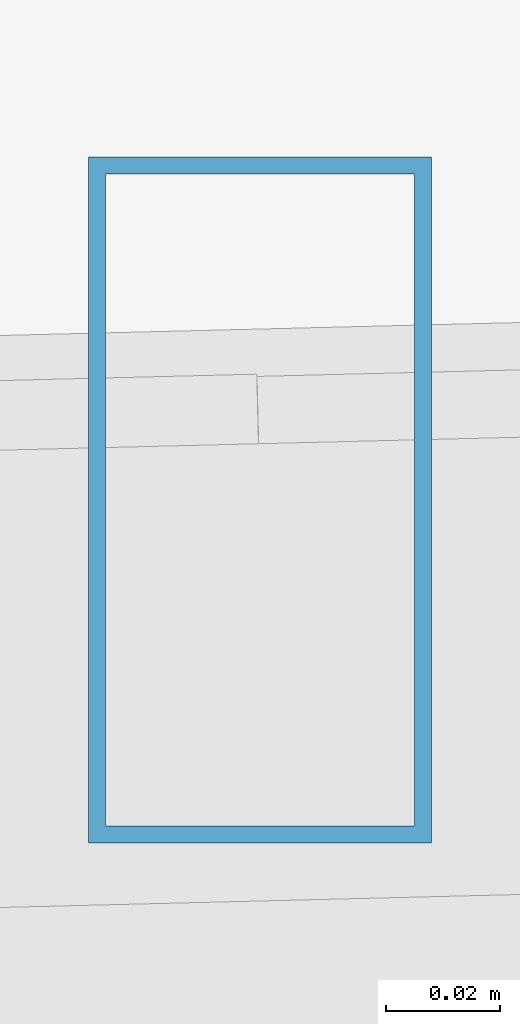
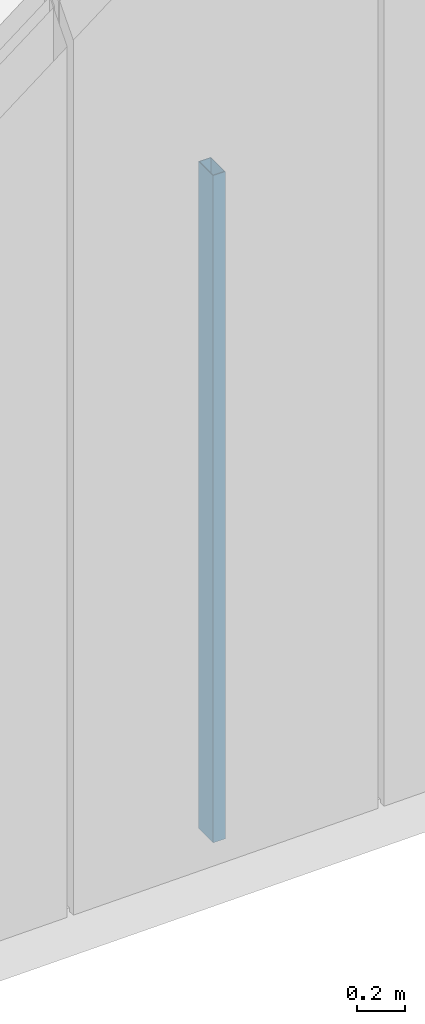
# One storey, part 20 of 50: 1 member, 1 element without a shape of its own.
"""IFC4 building model written with IfcOpenShell, lengths in metres."""

import ifcopenshell
import ifcopenshell.guid

model = None  # the IFC model being written
_history = None  # IfcOwnerHistory: only IFC2X3 demands one
_inside = {}  # id of a spatial element -> (the spatial element, [elements in it])
_under = {}  # id of a project, library or spatial element -> (it, [spatial elements below it])
_declared = {}  # id of a project -> (the project, [libraries it declares])
_typed = {}  # id of a type object -> (the type object, [elements of that type])
_made_of = {}  # id of a material, layer set ... -> (it, [elements and type objects made of it])


def new_model(schema):
    """Start an empty IFC model of exactly this schema.

    Asked for "IFC4X3", IfcOpenShell would pick the latest addendum, in which some entities
    have other attributes; the version numbers below select the first issue.
    IFC2X3 requires an IfcOwnerHistory on every rooted entity: one is made here for all.
    """
    global model, _history
    if schema == "IFC4X3":
        model = ifcopenshell.file(schema_version=(4, 3, 0, 0))
    else:
        model = ifcopenshell.file(schema=schema)
    _inside.clear()
    _under.clear()
    _declared.clear()
    _typed.clear()
    _made_of.clear()
    _history = None
    if model.schema == "IFC2X3":
        org = make("IfcOrganization", Name="unknown")
        user = make(
            "IfcPersonAndOrganization",
            ThePerson=make("IfcPerson", FamilyName="unknown"),
            TheOrganization=org,
        )
        app = make(
            "IfcApplication",
            ApplicationDeveloper=org,
            Version="unknown",
            ApplicationFullName="unknown",
            ApplicationIdentifier="unknown",
        )
        _history = make(
            "IfcOwnerHistory",
            OwningUser=user,
            OwningApplication=app,
            ChangeAction="ADDED",
            CreationDate=0,
        )
    return model


def make(cls, **values):
    """One entity of the class cls with the attributes given. An attribute that is None is left unset."""
    return model.create_entity(
        cls, **{name: value for name, value in values.items() if value is not None}
    )


def rooted(cls, **values):
    """An entity with a GlobalId (a new one), such as an element, a storey or a relation."""
    return make(cls, GlobalId=ifcopenshell.guid.new(), OwnerHistory=_history, **values)


def si_unit(unit_type, name, prefix=None):
    """IfcSIUnit, for example si_unit("LENGTHUNIT", "METRE", prefix="MILLI")."""
    return make("IfcSIUnit", UnitType=unit_type, Prefix=prefix, Name=name)


def assignment(units):
    """IfcUnitAssignment: the units of a project."""
    return None if units is None else make("IfcUnitAssignment", Units=units)


def point(xyz):
    """IfcCartesianPoint."""
    return None if xyz is None else make("IfcCartesianPoint", Coordinates=xyz)


def direction(xyz):
    """IfcDirection."""
    return None if xyz is None else make("IfcDirection", DirectionRatios=xyz)


def frame(location, z_axis=None, x_axis=None):
    """IfcAxis2Placement3D, a coordinate frame: its origin and axes. An axis left out is left unset."""
    return make(
        "IfcAxis2Placement3D",
        Location=point(location),
        Axis=direction(z_axis),
        RefDirection=direction(x_axis),
    )


def frame_2d(location, x_axis=None):
    """IfcAxis2Placement2D, a coordinate frame in the plane: its origin and x axis."""
    return make(
        "IfcAxis2Placement2D", Location=point(location), RefDirection=direction(x_axis)
    )


def origin():
    """The frame at (0, 0, 0) with its axes left unset."""
    return frame((0.0, 0.0, 0.0))


def origin_2d():
    """The frame at (0, 0) in the plane with its x axis left unset."""
    return frame_2d((0.0, 0.0))


def place(relative_to, where):
    """IfcLocalPlacement: puts the frame where relative to a parent placement (None: the world)."""
    return make(
        "IfcLocalPlacement", PlacementRelTo=relative_to, RelativePlacement=where
    )


def context(
    kind, dimensions, precision=None, world=None, true_north=None, identifier=None
):
    """IfcGeometricRepresentationContext, for example the 3D "Model" context."""
    return make(
        "IfcGeometricRepresentationContext",
        ContextIdentifier=identifier,
        ContextType=kind,
        CoordinateSpaceDimension=dimensions,
        Precision=precision,
        WorldCoordinateSystem=world,
        TrueNorth=true_north,
    )


def subcontext(parent, identifier, kind, view, scale=None):
    """IfcGeometricRepresentationSubContext, for example "Body" below "Model"."""
    return make(
        "IfcGeometricRepresentationSubContext",
        ContextIdentifier=identifier,
        ContextType=kind,
        ParentContext=parent,
        TargetScale=scale,
        TargetView=view,
    )


def project(units=None, contexts=None):
    """IfcProject with its units and contexts."""
    return rooted(
        "IfcProject",
        Name="project",
        RepresentationContexts=contexts,
        UnitsInContext=assignment(units),
    )


def spatial(cls, under=None, at=None, **own):
    """A site, building, storey or space (cls), placed at a placement, below another one or the project."""
    s = rooted(cls, ObjectPlacement=at, **own)
    if under is not None:
        _under.setdefault(under.id(), (under, []))[1].append(s)
    return s


def profile(cls, at=None, kind="AREA", **sizes):
    """A parametric profile (cls). Its sizes go by their IFC names, for example OverallWidth=200.0."""
    return make(cls, ProfileType=kind, Position=at, **sizes)


def hollow_rectangle(**sizes):
    """IfcRectangleHollowProfileDef."""
    return profile("IfcRectangleHollowProfileDef", **sizes)


def extrude(swept, where, along, depth):
    """IfcExtrudedAreaSolid: the profile swept, set in the frame where, extruded along a direction by depth."""
    return make(
        "IfcExtrudedAreaSolid",
        SweptArea=swept,
        Position=where,
        ExtrudedDirection=direction(along),
        Depth=depth,
    )


def shape(context_of_items, identifier, shape_type, items):
    """IfcShapeRepresentation: the items that make up one representation, for example the "Body"."""
    return make(
        "IfcShapeRepresentation",
        ContextOfItems=context_of_items,
        RepresentationIdentifier=identifier,
        RepresentationType=shape_type,
        Items=items,
    )


def source(mapping_origin, context_of_items, identifier, shape_type, items):
    """IfcRepresentationMap: a shape defined once, which mapped items show again and again."""
    return make(
        "IfcRepresentationMap",
        MappingOrigin=mapping_origin,
        MappedRepresentation=shape(context_of_items, identifier, shape_type, items),
    )


def transform(
    local_origin,
    x_axis=None,
    y_axis=None,
    z_axis=None,
    scale=None,
    scale2=None,
    scale3=None,
    uniform=True,
):
    """IfcCartesianTransformationOperator3D, or its non-uniform kind. x_axis, y_axis, z_axis: its Axis1, 2, 3."""
    if uniform:
        return make(
            "IfcCartesianTransformationOperator3D",
            Axis1=direction(x_axis),
            Axis2=direction(y_axis),
            LocalOrigin=point(local_origin),
            Scale=scale,
            Axis3=direction(z_axis),
        )
    return make(
        "IfcCartesianTransformationOperator3DnonUniform",
        Axis1=direction(x_axis),
        Axis2=direction(y_axis),
        LocalOrigin=point(local_origin),
        Scale=scale,
        Axis3=direction(z_axis),
        Scale2=scale2,
        Scale3=scale3,
    )


def mapped(mapping_source, mapping_target):
    """IfcMappedItem: shows the shape of a source again, moved by a transform."""
    return make(
        "IfcMappedItem", MappingSource=mapping_source, MappingTarget=mapping_target
    )


def material(Name=None, Category=None):
    """IfcMaterial."""
    return make("IfcMaterial", Name=Name, Category=Category)


def material_profile(
    of_material, cross_section, Name=None, Category=None, Priority=None
):
    """IfcMaterialProfile: a cross section and its material."""
    return make(
        "IfcMaterialProfile",
        Name=Name,
        Material=of_material,
        Profile=cross_section,
        Priority=Priority,
        Category=Category,
    )


def profile_set(profiles, Name=None, composite=None):
    """IfcMaterialProfileSet."""
    return make(
        "IfcMaterialProfileSet",
        Name=Name,
        MaterialProfiles=profiles,
        CompositeProfile=composite,
    )


def made_of(thing, what):
    """Note that an element or type object is made of a material, layer set ...; save() writes the relation."""
    if what is not None:
        _made_of.setdefault(what.id(), (what, []))[1].append(thing)
    return thing


def type_object(cls, material=None, **own):
    """A type object (cls), such as IfcWallType, which elements share."""
    return made_of(rooted(cls, **own), material)


def type_shapes(of_type, sources):
    """Give a type object the sources (RepresentationMaps) that its elements show as mapped items."""
    of_type.RepresentationMaps = sources


def element(
    cls,
    number,
    at=None,
    inside=None,
    cuts=None,
    type_object=None,
    material=None,
    context=None,
    identifier="Body",
    shape_type=None,
    held_by="IfcProductDefinitionShape",
    body=None,
    shapes=None,
    **own,
):
    """One element of the class cls, such as IfcWall. Its Tag is "e" and its number.

    at: its placement. inside: the storey or other place that contains it. cuts: it is an
    opening in that element (IfcRelVoidsElement). A single representation is given by context,
    identifier, shape_type and body (its items); several are given by shapes. held_by: the class
    of the entity that holds the representations. save() writes the other relations.
    """
    e = rooted(cls, Tag="e%d" % number, ObjectPlacement=at, **own)
    if body is not None:
        shapes = [shape(context, identifier, shape_type, body)]
    if shapes is not None:
        e.Representation = make(held_by, Representations=shapes)
    if inside is not None:
        _inside.setdefault(inside.id(), (inside, []))[1].append(e)
    if cuts is not None:
        rooted(
            "IfcRelVoidsElement", RelatingBuildingElement=cuts, RelatedOpeningElement=e
        )
    if type_object is not None:
        _typed.setdefault(type_object.id(), (type_object, []))[1].append(e)
    return made_of(e, material)


def aggregate(whole, parts):
    """IfcRelAggregates: a whole, such as a stair, and the parts it consists of."""
    return rooted("IfcRelAggregates", RelatingObject=whole, RelatedObjects=parts)


def save(model, path):
    """Write the relations noted so far, then the file.

    IfcRelAggregates (storeys below a building ...), IfcRelContainedInSpatialStructure (elements
    in a storey), IfcRelDefinesByType, IfcRelAssociatesMaterial and IfcRelDeclares: one each for
    every whole, place, type object, material and project.
    """
    for whole, parts in _under.values():
        aggregate(whole, parts)
    for where, things in _inside.values():
        rooted(
            "IfcRelContainedInSpatialStructure",
            RelatedElements=things,
            RelatingStructure=where,
        )
    for kind, things in _typed.values():
        rooted("IfcRelDefinesByType", RelatedObjects=things, RelatingType=kind)
    for what, things in _made_of.values():
        rooted("IfcRelAssociatesMaterial", RelatedObjects=things, RelatingMaterial=what)
    for by, libraries in _declared.values():
        rooted("IfcRelDeclares", RelatingContext=by, RelatedDefinitions=libraries)
    model.write(path)


model = new_model("IFC4")

# Units and contexts
model_context = context("Model", 3, precision=1e-05, world=origin(), true_north=direction((0.0, 1.0)))
body_context = subcontext(model_context, "Body", "Model", "MODEL_VIEW")
ifc_project = project(units=[si_unit("LENGTHUNIT", "METRE"), si_unit("AREAUNIT", "SQUARE_METRE"), si_unit("VOLUMEUNIT", "CUBIC_METRE"), si_unit("PLANEANGLEUNIT", "RADIAN"), si_unit("MASSUNIT", "GRAM", prefix="KILO")], contexts=[model_context])

# Site, building, storey
site_placement = place(None, origin())
site = spatial("IfcSite", under=ifc_project, at=site_placement, CompositionType="ELEMENT")
building_placement = place(site_placement, origin())
building = spatial("IfcBuilding", under=site, at=building_placement, Name="Caelisora Broadcast Tower", CompositionType="ELEMENT")
storey_placement = place(building_placement, frame((0.0, 0.0, 303.39990234375)))
storey = spatial("IfcBuildingStorey", under=building, at=storey_placement, Name="L80", CompositionType="ELEMENT", Elevation=303.39990234375)

# Curtain wall, member
ifc_material_1 = material(Name="Unitised Aluminium Insulated Shadow-Box Spandrel Curtain Wall", Category="aluminium")
curtain_wall_type = type_object("IfcCurtainWallType", Name="CW-SP3", PredefinedType="NOTDEFINED", material=ifc_material_1)
curtain_wall_placement = place(storey_placement, origin())
curtain_wall = element("IfcCurtainWall", 1, at=curtain_wall_placement, inside=storey, type_object=curtain_wall_type, Name="L80 curtain wall CW-SP3", PredefinedType="NOTDEFINED")
ifc_material_2 = material(Name="Aluminium 6063-T6 Anodised Terracotta Bronze", Category="aluminium")
ifc_material_profile = material_profile(ifc_material_2, hollow_rectangle(XDim=0.06005859375, YDim=0.1201171875, WallThickness=0.0029296875, at=origin_2d()), Name="Aluminium 6063-T6 Anodised Terracotta Bronze")
ifc_profile_set = profile_set([ifc_material_profile], Name="Aluminium 6063-T6 Anodised Terracotta Bronze")
member_type = type_object("IfcMemberType", Name="CWM-04", PredefinedType="MULLION", material=ifc_profile_set)
shared_shape = source(origin(), body_context, "Body", "SweptSolid", [
    extrude(hollow_rectangle(XDim=0.06005859375, YDim=0.1201171875, WallThickness=0.0029296875, at=origin_2d()), origin(), (0.0, 0.0, 1.0), 3.400146484375),
])
type_shapes(member_type, [shared_shape])
member_placement = place(storey_placement, frame((49.72509765625, 9.412109375, 0.0), z_axis=(0.0, 0.0, 1.0), x_axis=(1.0, 0.0, 0.0)))
member = element("IfcMember", 2, at=member_placement, type_object=member_type, Name="L80-CW-B05 mullion #2", PredefinedType="MULLION", context=body_context, shape_type="MappedRepresentation", body=[
    mapped(shared_shape, transform((0.0, 0.0, 0.0), scale=1.0)),
])
aggregate(curtain_wall, [member])

save(model, "model.ifc")
